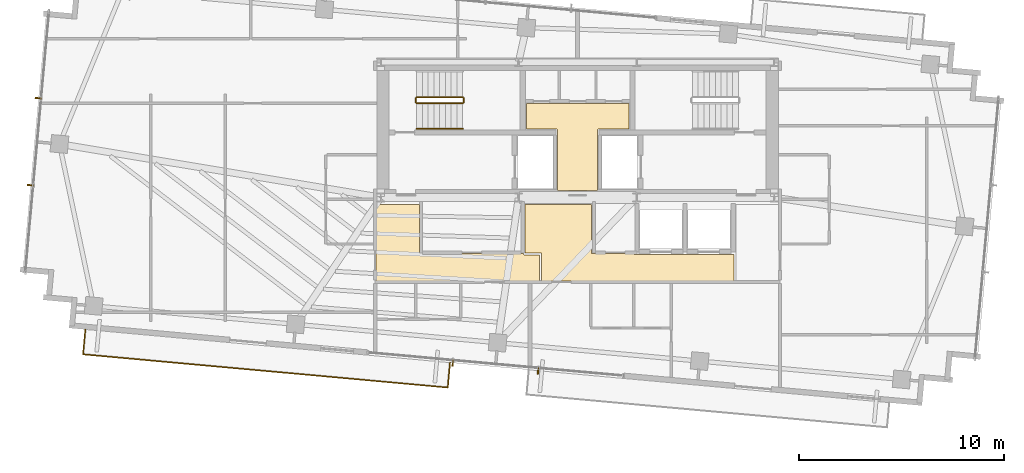
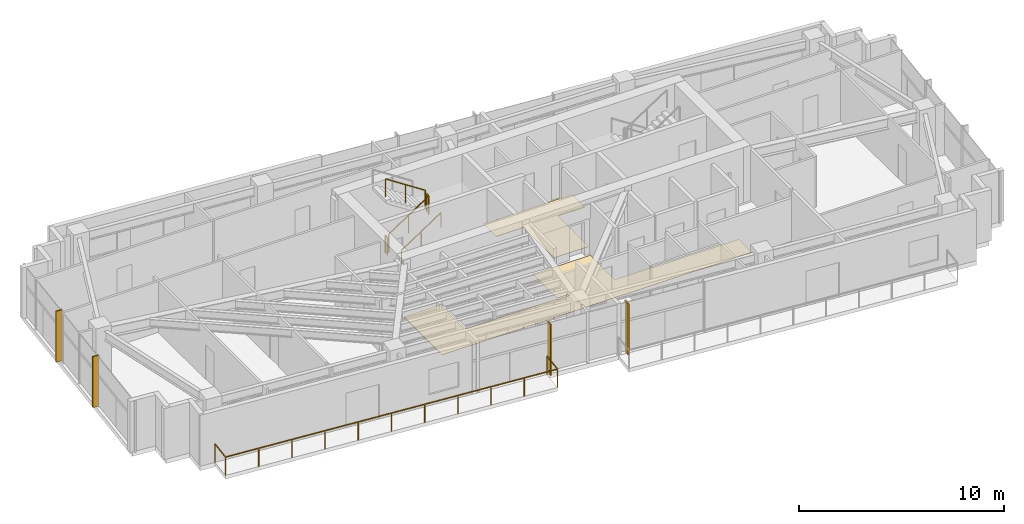
# One storey, part 20 of 22: 6 railings, 4 shading devices, 3 coverings.
"""IFC4 building model written with IfcOpenShell, lengths in metres."""

from ifc_helpers import new_model, si_unit, direction, frame, origin, origin_2d, place, context, subcontext, project, spatial, polyline, rectangle, outline, extrude, source, transform, mapped, material, layer, layer_set, type_object, type_shapes, element, save


model = new_model("IFC4")

# Units and contexts
model_context = context("Model", 3, precision=1e-05, world=origin(), true_north=direction((0.0, 1.0)))
body_context = subcontext(model_context, "Body", "Model", "MODEL_VIEW")
ifc_project = project(units=[si_unit("LENGTHUNIT", "METRE"), si_unit("AREAUNIT", "SQUARE_METRE"), si_unit("VOLUMEUNIT", "CUBIC_METRE"), si_unit("PLANEANGLEUNIT", "RADIAN"), si_unit("MASSUNIT", "GRAM", prefix="KILO")], contexts=[model_context])

# Site, building, storey
site_placement = place(None, origin())
site = spatial("IfcSite", under=ifc_project, at=site_placement, CompositionType="ELEMENT")
building_placement = place(site_placement, origin())
building = spatial("IfcBuilding", under=site, at=building_placement, Name="Astriad Promenade Condominiums", CompositionType="ELEMENT")
storey_placement = place(building_placement, frame((0.0, 0.0, 219.89990234375)))
storey = spatial("IfcBuildingStorey", under=building, at=storey_placement, Name="L63", CompositionType="ELEMENT", Elevation=219.89990234375)

# Coverings
ifc_material_1 = material(Name="Polished Lakefront Terrazzo Flooring")
ifc_layer = layer(ifc_material_1, 0.02001953125)
ifc_layer_set = layer_set([ifc_layer], Name="Polished Lakefront Terrazzo Flooring")
covering_type = type_object("IfcCoveringType", Name="COV-FLOR-TERRAZZO-20", PredefinedType="FLOORING", material=ifc_layer_set)
covering_1_placement = place(storey_placement, origin())
element("IfcCovering", 1, at=covering_1_placement, inside=storey, type_object=covering_type, Name="FLR-L63-CSL", PredefinedType="FLOORING", context=body_context, shape_type="SweptSolid", body=[
    extrude(outline(polyline([(36.97998046875, 20.699951171875), (36.97998046875, 17.739990234375), (35.02001953125, 17.739990234375), (35.02001953125, 20.699951171875), (35.019775390625, 20.703857421875), (35.019287109375, 20.707763671875), (35.018310546875, 20.711669921875), (35.01708984375, 20.71533203125), (35.015380859375, 20.718994140625), (35.01318359375, 20.72216796875), (35.010986328125, 20.725341796875), (35.00830078125, 20.728271484375), (35.00537109375, 20.73095703125), (35.002197265625, 20.7333984375), (34.998779296875, 20.7353515625), (34.995361328125, 20.737060546875), (34.99169921875, 20.73828125), (34.98779296875, 20.7392578125), (34.98388671875, 20.73974609375), (34.97998046875, 20.739990234375), (33.5, 20.739990234375), (33.5, 21.97998046875), (38.5, 21.97998046875), (38.5, 20.739990234375), (37.02001953125, 20.739990234375), (37.01611328125, 20.73974609375), (37.01220703125, 20.7392578125), (37.00830078125, 20.73828125), (37.004638671875, 20.737060546875), (37.001220703125, 20.7353515625), (36.997802734375, 20.7333984375), (36.99462890625, 20.73095703125), (36.99169921875, 20.728271484375), (36.989013671875, 20.725341796875), (36.98681640625, 20.72216796875), (36.984619140625, 20.718994140625), (36.98291015625, 20.71533203125), (36.981689453125, 20.711669921875), (36.980712890625, 20.707763671875), (36.980224609375, 20.703857421875), (36.97998046875, 20.699951171875)])), origin(), (0.0, 0.0, 1.0), 0.02001953125),
])
covering_2_placement = place(storey_placement, origin())
element("IfcCovering", 2, at=covering_2_placement, inside=storey, type_object=covering_type, Name="FLR-L63-LLB", PredefinedType="FLOORING", context=body_context, shape_type="SweptSolid", body=[
    extrude(outline(polyline([(43.639892578125, 14.610107421875), (43.639892578125, 13.320068359375), (34.239990234375, 13.320068359375), (34.239990234375, 14.64990234375), (34.23974609375, 14.65380859375), (34.2392578125, 14.65771484375), (34.23828125, 14.66162109375), (34.237060546875, 14.665283203125), (34.2353515625, 14.6689453125), (34.2333984375, 14.672119140625), (34.23095703125, 14.67529296875), (34.228271484375, 14.67822265625), (34.225341796875, 14.680908203125), (34.22216796875, 14.683349609375), (34.218994140625, 14.685302734375), (34.21533203125, 14.68701171875), (34.211669921875, 14.688232421875), (34.207763671875, 14.689208984375), (34.203857421875, 14.689697265625), (34.199951171875, 14.68994140625), (33.43994140625, 14.68994140625), (33.43994140625, 17.06005859375), (36.679931640625, 17.06005859375), (36.679931640625, 14.699951171875), (36.68017578125, 14.696044921875), (36.680908203125, 14.692138671875), (36.681640625, 14.6884765625), (36.68310546875, 14.684814453125), (36.684814453125, 14.68115234375), (36.686767578125, 14.677734375), (36.689208984375, 14.674560546875), (36.691650390625, 14.671630859375), (36.694580078125, 14.669189453125), (36.69775390625, 14.666748046875), (36.701171875, 14.664794921875), (36.70458984375, 14.6630859375), (36.70849609375, 14.66162109375), (36.712158203125, 14.660888671875), (36.716064453125, 14.66015625), (36.719970703125, 14.659912109375), (38.760009765625, 14.659912109375), (38.760009765625, 14.64990234375), (38.76025390625, 14.64599609375), (38.7607421875, 14.64208984375), (38.76171875, 14.638427734375), (38.762939453125, 14.634765625), (38.7646484375, 14.631103515625), (38.7666015625, 14.627685546875), (38.76904296875, 14.62451171875), (38.771728515625, 14.62158203125), (38.774658203125, 14.619140625), (38.77783203125, 14.61669921875), (38.781005859375, 14.61474609375), (38.78466796875, 14.613037109375), (38.788330078125, 14.61181640625), (38.792236328125, 14.61083984375), (38.796142578125, 14.610107421875), (38.800048828125, 14.610107421875), (43.639892578125, 14.610107421875)])), origin(), (0.0, 0.0, 1.0), 0.02001953125),
])
covering_3_placement = place(storey_placement, origin())
element("IfcCovering", 3, at=covering_3_placement, inside=storey, type_object=covering_type, Name="FLR-L63-COR-2", PredefinedType="FLOORING", context=body_context, shape_type="SweptSolid", body=[
    extrude(outline(polyline([(26.159912109375, 13.320068359375), (26.159912109375, 17.06005859375), (28.280029296875, 17.06005859375), (28.280029296875, 14.699951171875), (28.2802734375, 14.696044921875), (28.28076171875, 14.692138671875), (28.28173828125, 14.6884765625), (28.282958984375, 14.684814453125), (28.28466796875, 14.68115234375), (28.28662109375, 14.677734375), (28.2890625, 14.674560546875), (28.291748046875, 14.671630859375), (28.294677734375, 14.669189453125), (28.2978515625, 14.666748046875), (28.301025390625, 14.664794921875), (28.3046875, 14.6630859375), (28.308349609375, 14.66162109375), (28.312255859375, 14.660888671875), (28.316162109375, 14.66015625), (28.320068359375, 14.659912109375), (33.35009765625, 14.659912109375), (33.35009765625, 14.64892578125), (33.35009765625, 14.64501953125), (33.350830078125, 14.64111328125), (33.35107421875, 14.64013671875), (33.351318359375, 14.639404296875), (33.351318359375, 14.638427734375), (33.352294921875, 14.634521484375), (33.353759765625, 14.630859375), (33.3544921875, 14.629150390625), (33.356201171875, 14.6259765625), (33.356689453125, 14.625), (33.35888671875, 14.62158203125), (33.3603515625, 14.61962890625), (33.36083984375, 14.618896484375), (33.361083984375, 14.61865234375), (33.361328125, 14.618408203125), (33.361572265625, 14.617919921875), (33.36328125, 14.615966796875), (33.365966796875, 14.61328125), (33.367919921875, 14.611572265625), (33.368408203125, 14.611328125), (33.36865234375, 14.611083984375), (33.368896484375, 14.61083984375), (33.36962890625, 14.6103515625), (33.37158203125, 14.60888671875), (33.375, 14.606689453125), (33.3759765625, 14.606201171875), (33.379150390625, 14.6044921875), (33.3798828125, 14.604248046875), (33.380859375, 14.603759765625), (33.384521484375, 14.602294921875), (33.388427734375, 14.601318359375), (33.389404296875, 14.601318359375), (33.39013671875, 14.60107421875), (33.39111328125, 14.600830078125), (33.39501953125, 14.60009765625), (33.39892578125, 14.60009765625), (34.14990234375, 14.60009765625), (34.14990234375, 13.320068359375), (26.159912109375, 13.320068359375)])), origin(), (0.0, 0.0, 1.0), 0.02001953125),
])

# Shading devices
ifc_material_2 = material(Name="Anodised aluminium 6063-T6 Black Fin", Category="aluminium")
shading_device_type = type_object("IfcShadingDeviceType", Name="FIN-BLACK-260", PredefinedType="USERDEFINED", material=ifc_material_2)
shared_shape_1 = source(origin(), body_context, "Body", "SweptSolid", [
    extrude(rectangle(XDim=0.06494140625, YDim=0.320068359375, at=origin_2d()), origin(), (0.0, 0.0, 1.0), 3.0400390625),
])
type_shapes(shading_device_type, [shared_shape_1])
for number, where, z_axis, x_axis, name in (
    (4, (9.293212890625, 17.9970703125, 0.0), (0.0, 0.0, 1.0), (0.090632580198, 0.995884398616, 0.0), "CW-L63-W-FIN-01"),
    (5, (9.6796875, 22.246337890625, 0.0), (0.0, 0.0, 1.0), (0.090632580198, 0.995884398616, 0.0), "CW-L63-W-FIN-02"),
    (6, (34.073974609375, 8.937255859375, 0.0), (0.0, 0.0, 1.0), (-0.995884398616, 0.090632580198, 0.0), "CW-L63-S-FIN-01"),
    (7, (29.9111328125, 9.316162109375, 0.0), (0.0, 0.0, 1.0), (-0.995884398616, 0.090632580198, 0.0), "CW-L63-S-FIN-02"),
):
    element("IfcShadingDevice", number, at=place(storey_placement, frame(where, z_axis=z_axis, x_axis=x_axis)), inside=storey, type_object=shading_device_type, Name=name, ObjectType="FIN", PredefinedType="USERDEFINED", context=body_context, shape_type="MappedRepresentation", body=[
        mapped(shared_shape_1, transform((0.0, 0.0, 0.0), scale=1.0)),
    ])

# Railings
ifc_material_3 = material(Name="Laminated Glass and Stainless Steel Balustrade", Category="steel")
railing_type_1 = type_object("IfcRailingType", Name="GRD-BALC-1120", PredefinedType="BALUSTRADE", material=ifc_material_3)
shared_shape_2 = source(origin(), body_context, "Body", "SweptSolid", [
    extrude(rectangle(XDim=0.048095703125, YDim=0.048095703125, at=origin_2d()), frame((0.0, 0.0, 1.09619140625), z_axis=(-0.09066206129, -0.995881715186, 0.0), x_axis=(0.995881715186, -0.09066206129, 0.0)), (0.0, 0.0, 1.0), 1.219970703125),
    extrude(rectangle(XDim=0.048095703125, YDim=0.048095703125, at=origin_2d()), frame((-0.110595703125, -1.21484375, 1.09619140625), z_axis=(0.995884019767, -0.090636742948, 0.0), x_axis=(0.090636742948, 0.995884019767, 0.0)), (0.0, 0.0, 1.0), 17.8720703125),
    extrude(rectangle(XDim=0.048095703125, YDim=0.048095703125, at=origin_2d()), frame((17.68798828125, -2.834716796875, 1.09619140625), z_axis=(0.090463563939, 0.99589976584, 0.0), x_axis=(-0.99589976584, 0.090463563939, 0.0)), (0.0, 0.0, 1.0), 1.2197265625),
    extrude(rectangle(XDim=0.0419921875, YDim=0.0419921875, at=origin_2d()), origin(), (0.0, 0.0, 1.0), 1.072021484375),
    extrude(rectangle(XDim=0.0419921875, YDim=0.0419921875, at=origin_2d()), frame((-0.110595703125, -1.21484375, 0.0)), (0.0, 0.0, 1.0), 1.072021484375),
    extrude(rectangle(XDim=0.0419921875, YDim=0.0419921875, at=origin_2d()), frame((1.669189453125, -1.376953125, 0.0)), (0.0, 0.0, 1.0), 1.072021484375),
    extrude(rectangle(XDim=0.0419921875, YDim=0.0419921875, at=origin_2d()), frame((3.44921875, -1.538818359375, 0.0)), (0.0, 0.0, 1.0), 1.072021484375),
    extrude(rectangle(XDim=0.0419921875, YDim=0.0419921875, at=origin_2d()), frame((5.22900390625, -1.70068359375, 0.0)), (0.0, 0.0, 1.0), 1.072021484375),
    extrude(rectangle(XDim=0.0419921875, YDim=0.0419921875, at=origin_2d()), frame((7.0087890625, -1.86279296875, 0.0)), (0.0, 0.0, 1.0), 1.072021484375),
    extrude(rectangle(XDim=0.0419921875, YDim=0.0419921875, at=origin_2d()), frame((8.78857421875, -2.02490234375, 0.0)), (0.0, 0.0, 1.0), 1.072021484375),
    extrude(rectangle(XDim=0.0419921875, YDim=0.0419921875, at=origin_2d()), frame((10.568603515625, -2.186767578125, 0.0)), (0.0, 0.0, 1.0), 1.072021484375),
    extrude(rectangle(XDim=0.0419921875, YDim=0.0419921875, at=origin_2d()), frame((12.348388671875, -2.3486328125, 0.0)), (0.0, 0.0, 1.0), 1.072021484375),
    extrude(rectangle(XDim=0.0419921875, YDim=0.0419921875, at=origin_2d()), frame((14.128173828125, -2.5107421875, 0.0)), (0.0, 0.0, 1.0), 1.072021484375),
    extrude(rectangle(XDim=0.0419921875, YDim=0.0419921875, at=origin_2d()), frame((15.908203125, -2.6728515625, 0.0)), (0.0, 0.0, 1.0), 1.072021484375),
    extrude(rectangle(XDim=0.0419921875, YDim=0.0419921875, at=origin_2d()), frame((17.68798828125, -2.834716796875, 0.0)), (0.0, 0.0, 1.0), 1.072021484375),
    extrude(rectangle(XDim=0.0419921875, YDim=0.0419921875, at=origin_2d()), frame((17.79833984375, -1.619873046875, 0.0)), (0.0, 0.0, 1.0), 1.072021484375),
])
type_shapes(railing_type_1, [shared_shape_2])
railing_1_placement = place(storey_placement, frame((11.97705078125, 10.958251953125, 0.0)))
element("IfcRailing", 8, at=railing_1_placement, inside=storey, type_object=railing_type_1, Name="GRD-BALC-L63-SW", PredefinedType="BALUSTRADE", context=body_context, shape_type="MappedRepresentation", body=[
    mapped(shared_shape_2, transform((0.0, 0.0, 0.0), scale=1.0)),
])
ifc_material_4 = material(Name="Painted Galvanised Steel Guardrail", Category="steel")
railing_type_2 = type_object("IfcRailingType", Name="GRD-STAIR-1100", PredefinedType="GUARDRAIL", material=ifc_material_4)
shared_shape_3 = source(origin(), body_context, "Body", "SweptSolid", [
    extrude(rectangle(XDim=0.048095703125, YDim=0.048095703125, at=origin_2d()), frame((0.0, 0.0, 1.076171875), z_axis=(0.0, 1.0, 0.0), x_axis=(-1.0, 0.0, 0.0)), (0.0, 0.0, 1.0), 0.199951171875),
    extrude(rectangle(XDim=0.0419921875, YDim=0.0419921875, at=origin_2d()), origin(), (0.0, 0.0, 1.0), 1.052001953125),
    extrude(rectangle(XDim=0.0419921875, YDim=0.0419921875, at=origin_2d()), frame((0.0, 0.199951171875, 0.0)), (0.0, 0.0, 1.0), 1.052001953125),
])
for number, where, name in (
    (9, (30.43994140625, 22.050048828125, 1.650146484375), "L63 ST-1 stair guard 2"),
    (10, (28.10009765625, 22.050048828125, 0.0), "L63 ST-1 stair guard 4"),
):
    element("IfcRailing", number, at=place(storey_placement, frame(where)), inside=storey, type_object=railing_type_2, Name=name, PredefinedType="GUARDRAIL", context=body_context, shape_type="MappedRepresentation", body=[
        mapped(shared_shape_3, transform((0.0, 0.0, 0.0), scale=1.0)),
    ])
shared_shape_4 = source(origin(), body_context, "Body", "SweptSolid", [
    extrude(rectangle(XDim=0.048095703125, YDim=0.048095703125, at=origin_2d()), frame((0.0, 0.0, 1.076171875), z_axis=(-0.836636935527, 0.0, 0.547757827979), x_axis=(0.0, -1.0, 0.0)), (0.0, 0.0, 1.0), 2.677490234375),
    extrude(rectangle(XDim=0.0419921875, YDim=0.0419921875, at=origin_2d()), origin(), (0.0, 0.0, 1.0), 1.052001953125),
    extrude(rectangle(XDim=0.0419921875, YDim=0.0419921875, at=origin_2d()), frame((-1.1201171875, 0.0, 0.7333984375)), (0.0, 0.0, 1.0), 1.052001953125),
    extrude(rectangle(XDim=0.0419921875, YDim=0.0419921875, at=origin_2d()), frame((-2.239990234375, 0.0, 1.466552734375)), (0.0, 0.0, 1.0), 1.052001953125),
])
railing_2_placement = place(storey_placement, frame((30.389892578125, 22.300048828125, 1.83349609375)))
element("IfcRailing", 11, at=railing_2_placement, inside=storey, type_object=railing_type_2, Name="L63 ST-1 stair guard 3", PredefinedType="GUARDRAIL", context=body_context, shape_type="MappedRepresentation", body=[
    mapped(shared_shape_4, transform((0.0, 0.0, 0.0), scale=1.0)),
])
shared_shape_5 = source(origin(), body_context, "Body", "SweptSolid", [
    extrude(rectangle(XDim=0.048095703125, YDim=0.048095703125, at=origin_2d()), frame((0.0, 0.0, 1.076171875), z_axis=(0.836595146698, 0.0, 0.547821650285), x_axis=(0.0, 1.0, 0.0)), (0.0, 0.0, 1.0), 2.677490234375),
    extrude(rectangle(XDim=0.0419921875, YDim=0.0419921875, at=origin_2d()), origin(), (0.0, 0.0, 1.0), 1.052001953125),
    extrude(rectangle(XDim=0.0419921875, YDim=0.0419921875, at=origin_2d()), frame((1.1201171875, 0.0, 0.7333984375)), (0.0, 0.0, 1.0), 1.052001953125),
    extrude(rectangle(XDim=0.0419921875, YDim=0.0419921875, at=origin_2d()), frame((2.239990234375, 0.0, 1.466796875)), (0.0, 0.0, 1.0), 1.052001953125),
])
type_shapes(railing_type_2, [shared_shape_3, shared_shape_4, shared_shape_5])
railing_3_placement = place(storey_placement, frame((28.14990234375, 22.0, 0.183349609375)))
element("IfcRailing", 12, at=railing_3_placement, inside=storey, type_object=railing_type_2, Name="L63 ST-1 stair guard 1", PredefinedType="GUARDRAIL", context=body_context, shape_type="MappedRepresentation", body=[
    mapped(shared_shape_5, transform((0.0, 0.0, 0.0), scale=1.0)),
])
ifc_material_5 = material(Name="Brushed Stainless Steel Handrail", Category="steel")
railing_type_3 = type_object("IfcRailingType", Name="HRL-STAIR-920", PredefinedType="HANDRAIL", material=ifc_material_5)
shared_shape_6 = source(origin(), body_context, "Body", "SweptSolid", [
    extrude(rectangle(XDim=0.048095703125, YDim=0.048095703125, at=origin_2d()), frame((0.0, 0.0, 0.8759765625), z_axis=(0.836595146698, 0.0, 0.547821650285), x_axis=(0.0, 1.0, 0.0)), (0.0, 0.0, 1.0), 2.677490234375),
    extrude(rectangle(XDim=0.0419921875, YDim=0.0419921875, at=origin_2d()), origin(), (0.0, 0.0, 1.0), 0.851806640625),
    extrude(rectangle(XDim=0.0419921875, YDim=0.0419921875, at=origin_2d()), frame((1.1201171875, 0.0, 0.7333984375)), (0.0, 0.0, 1.0), 0.851806640625),
    extrude(rectangle(XDim=0.0419921875, YDim=0.0419921875, at=origin_2d()), frame((2.239990234375, 0.0, 1.466796875)), (0.0, 0.0, 1.0), 0.851806640625),
])
type_shapes(railing_type_3, [shared_shape_6])
railing_4_placement = place(storey_placement, frame((28.14990234375, 20.75, 0.183349609375)))
element("IfcRailing", 13, at=railing_4_placement, inside=storey, type_object=railing_type_3, Name="L63 ST-1 stair handrail 1", PredefinedType="HANDRAIL", context=body_context, shape_type="MappedRepresentation", body=[
    mapped(shared_shape_6, transform((0.0, 0.0, 0.0), scale=1.0)),
])

save(model, "model.ifc")
